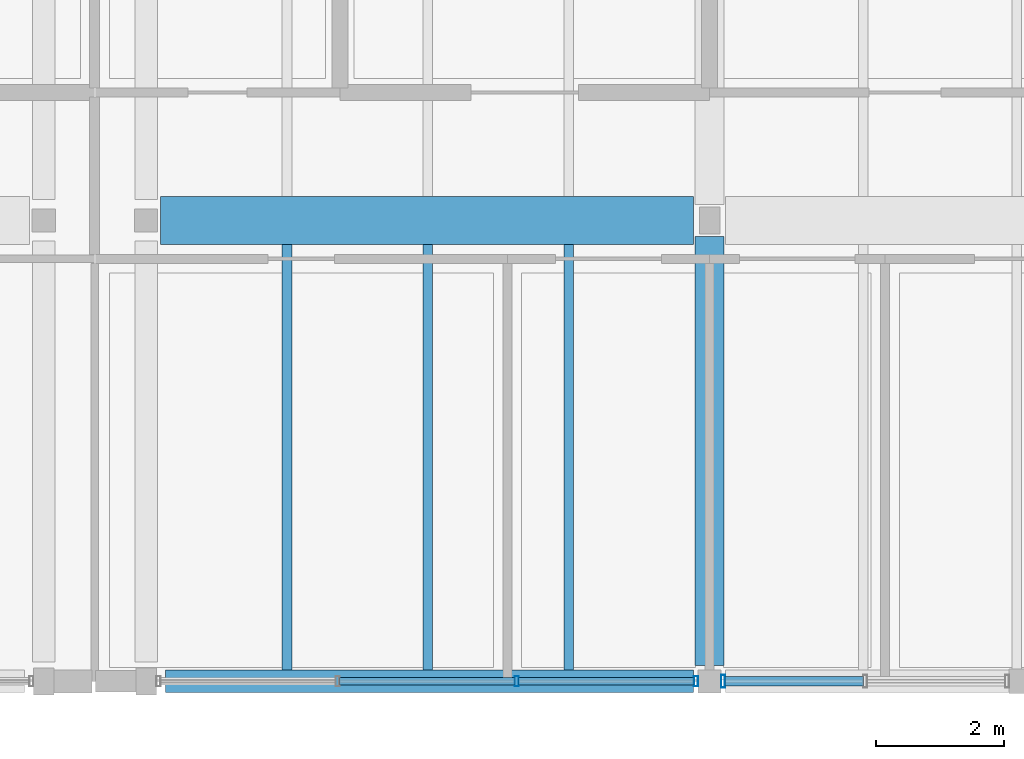
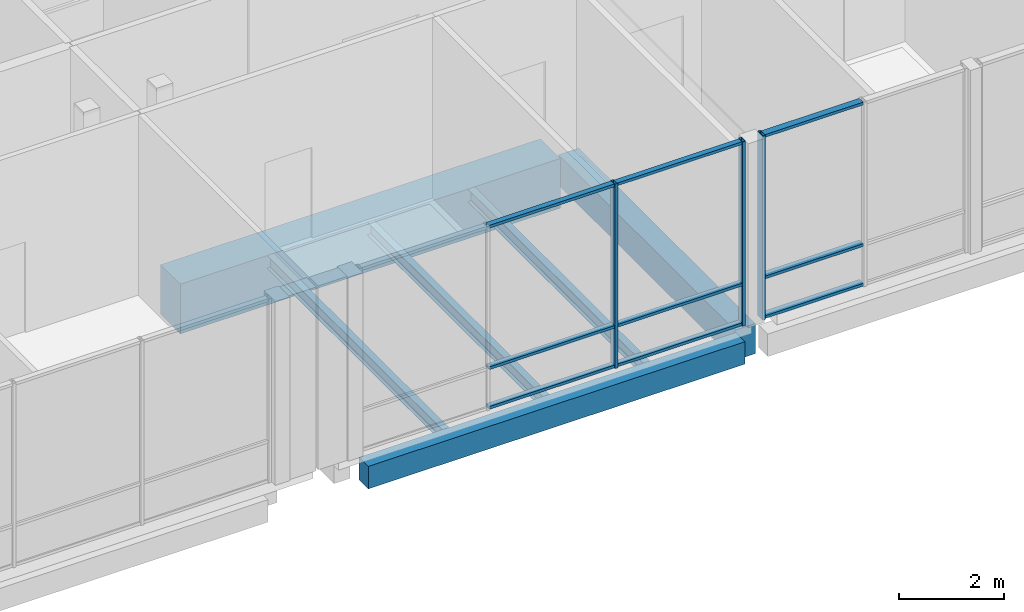
# One storey, part 57 of 146: 12 members, 6 beams, 2 elements without a shape of their own.
"""IFC4 building model written with IfcOpenShell, lengths in metres."""

from ifc_helpers import new_model, si_unit, direction, frame, origin, origin_2d, place, context, subcontext, project, spatial, rectangle, hollow_rectangle, i_section, extrude, material, material_profile, profile_set, type_object, element, aggregate, save


model = new_model("IFC4")

# Units and contexts
model_context = context("Model", 3, precision=1e-05, world=origin(), true_north=direction((0.0, 1.0)))
body_context = subcontext(model_context, "Body", "Model", "MODEL_VIEW")
ifc_project = project(units=[si_unit("LENGTHUNIT", "METRE"), si_unit("AREAUNIT", "SQUARE_METRE"), si_unit("VOLUMEUNIT", "CUBIC_METRE"), si_unit("PLANEANGLEUNIT", "RADIAN"), si_unit("MASSUNIT", "GRAM", prefix="KILO")], contexts=[model_context])

# Site, building, storey
site_placement = place(None, origin())
site = spatial("IfcSite", under=ifc_project, at=site_placement, CompositionType="ELEMENT")
building_placement = place(site_placement, origin())
building = spatial("IfcBuilding", under=site, at=building_placement, Name="Hawrajan Terrace Health Centre", CompositionType="ELEMENT")
storey_placement = place(building_placement, frame((0.0, 0.0, 4.5)))
storey = spatial("IfcBuildingStorey", under=building, at=storey_placement, Name="L01", CompositionType="ELEMENT", Elevation=4.5)

# Curtain wall, members
ifc_material_1 = material(Name="Anodized bronze aluminium and low-E solar glazing", Category="aluminium")
curtain_wall_type_1 = type_object("IfcCurtainWallType", Name="CW_Garden_SeriesF2", PredefinedType="USERDEFINED", material=ifc_material_1)
curtain_wall_1_placement = place(storey_placement, origin())
curtain_wall_1 = element("IfcCurtainWall", 1, at=curtain_wall_1_placement, inside=storey, type_object=curtain_wall_type_1, Name="Curtain wall CW-L01-087", ObjectType="UNITISED CURTAIN WALL", PredefinedType="USERDEFINED")
ifc_material_2 = material(Name="Anodized bronze aluminium 6063-T6", Category="aluminium")
ifc_material_profile_1 = material_profile(ifc_material_2, hollow_rectangle(XDim=0.06494140625, YDim=0.159912109375, WallThickness=0.00390625, at=origin_2d()), Name="CW MUL 65x160")
ifc_profile_set_1 = profile_set([ifc_material_profile_1], Name="Anodized bronze aluminium 6063-T6")
member_type_1 = type_object("IfcMemberType", Name="CWMullion_65x160", PredefinedType="MULLION", material=ifc_profile_set_1)
member_1_placement = place(storey_placement, frame((78.38916015625, 4.199951171875, -0.0048828125), z_axis=(0.0, 0.0, 1.0), x_axis=(1.0, 0.0, 0.0)))
member_1 = element("IfcMember", 2, at=member_1_placement, type_object=member_type_1, Name="Mullion CW-L01-087-M3", PredefinedType="MULLION", context=body_context, shape_type="SweptSolid", body=[
    extrude(hollow_rectangle(XDim=0.06494140625, YDim=0.159912109375, WallThickness=0.00390625, at=origin_2d()), origin(), (0.0, 0.0, 1.0), 4.269775390625),
])
member_2_placement = place(storey_placement, frame((81.1875, 4.199951171875, -0.0048828125), z_axis=(0.0, 0.0, 1.0), x_axis=(1.0, 0.0, 0.0)))
member_2 = element("IfcMember", 3, at=member_2_placement, type_object=member_type_1, Name="Mullion CW-L01-087-M4", PredefinedType="MULLION", context=body_context, shape_type="SweptSolid", body=[
    extrude(hollow_rectangle(XDim=0.06494140625, YDim=0.159912109375, WallThickness=0.00390625, at=origin_2d()), origin(), (0.0, 0.0, 1.0), 4.269775390625),
])

# Curtain wall, member
curtain_wall_type_2 = type_object("IfcCurtainWallType", Name="CW_Vestibule_SeriesH1", PredefinedType="USERDEFINED", material=ifc_material_1)
curtain_wall_2_placement = place(storey_placement, origin())
curtain_wall_2 = element("IfcCurtainWall", 4, at=curtain_wall_2_placement, inside=storey, type_object=curtain_wall_type_2, Name="Curtain wall CW-L01-091", ObjectType="UNITISED CURTAIN WALL", PredefinedType="USERDEFINED")
ifc_material_profile_2 = material_profile(ifc_material_2, hollow_rectangle(XDim=0.06494140625, YDim=0.199951171875, WallThickness=0.00439453125, at=origin_2d()), Name="CW MUL 65x200")
ifc_profile_set_2 = profile_set([ifc_material_profile_2], Name="Anodized bronze aluminium 6063-T6")
member_type_2 = type_object("IfcMemberType", Name="CWMullion_65x200", PredefinedType="MULLION", material=ifc_profile_set_2)
member_3_placement = place(storey_placement, frame((81.612548828125, 4.199951171875, -0.0048828125), z_axis=(0.0, 0.0, 1.0), x_axis=(1.0, 0.0, 0.0)))
member_3 = element("IfcMember", 5, at=member_3_placement, type_object=member_type_2, Name="Mullion CW-L01-091-M1", PredefinedType="MULLION", context=body_context, shape_type="SweptSolid", body=[
    extrude(hollow_rectangle(XDim=0.06494140625, YDim=0.199951171875, WallThickness=0.00439453125, at=origin_2d()), origin(), (0.0, 0.0, 1.0), 4.269775390625),
])

# Member
ifc_material_profile_3 = material_profile(ifc_material_2, hollow_rectangle(XDim=0.06494140625, YDim=0.1201171875, WallThickness=0.00341796875, at=origin_2d()), Name="CW TRN 65x120")
ifc_profile_set_3 = profile_set([ifc_material_profile_3], Name="Anodized bronze aluminium 6063-T6")
member_type_3 = type_object("IfcMemberType", Name="CWTransom_65x120", PredefinedType="USERDEFINED", material=ifc_profile_set_3)
member_4_placement = place(storey_placement, frame((75.6171875, 4.199951171875, 0.032470703125), z_axis=(1.0, 0.0, 0.0), x_axis=(0.0, 0.0, 1.0)))
member_4 = element("IfcMember", 6, at=member_4_placement, type_object=member_type_3, Name="Transom CW-L01-087-T2-1", ObjectType="TRANSOM", PredefinedType="USERDEFINED", context=body_context, shape_type="SweptSolid", body=[
    extrude(hollow_rectangle(XDim=0.06494140625, YDim=0.1201171875, WallThickness=0.00341796875, at=origin_2d()), origin(), (0.0, 0.0, 1.0), 2.74560546875),
])

member_5_placement = place(storey_placement, frame((75.6171875, 4.199951171875, 0.949951171875), z_axis=(1.0, 0.0, 0.0), x_axis=(0.0, 0.0, 1.0)))
member_5 = element("IfcMember", 7, at=member_5_placement, type_object=member_type_3, Name="Transom CW-L01-087-T2-2", ObjectType="TRANSOM", PredefinedType="USERDEFINED", context=body_context, shape_type="SweptSolid", body=[
    extrude(hollow_rectangle(XDim=0.06494140625, YDim=0.1201171875, WallThickness=0.00341796875, at=origin_2d()), origin(), (0.0, 0.0, 1.0), 2.74560546875),
])

member_6_placement = place(storey_placement, frame((75.6171875, 4.199951171875, 4.2275390625), z_axis=(1.0, 0.0, 0.0), x_axis=(0.0, 0.0, 1.0)))
member_6 = element("IfcMember", 8, at=member_6_placement, type_object=member_type_3, Name="Transom CW-L01-087-T2-3", ObjectType="TRANSOM", PredefinedType="USERDEFINED", context=body_context, shape_type="SweptSolid", body=[
    extrude(hollow_rectangle(XDim=0.06494140625, YDim=0.1201171875, WallThickness=0.00341796875, at=origin_2d()), origin(), (0.0, 0.0, 1.0), 2.74560546875),
])

member_7_placement = place(storey_placement, frame((78.415771484375, 4.199951171875, 0.032470703125), z_axis=(1.0, 0.0, 0.0), x_axis=(0.0, 0.0, 1.0)))
member_7 = element("IfcMember", 9, at=member_7_placement, type_object=member_type_3, Name="Transom CW-L01-087-T3-1", ObjectType="TRANSOM", PredefinedType="USERDEFINED", context=body_context, shape_type="SweptSolid", body=[
    extrude(hollow_rectangle(XDim=0.06494140625, YDim=0.1201171875, WallThickness=0.00341796875, at=origin_2d()), origin(), (0.0, 0.0, 1.0), 2.7451171875),
])

member_8_placement = place(storey_placement, frame((78.415771484375, 4.199951171875, 0.949951171875), z_axis=(1.0, 0.0, 0.0), x_axis=(0.0, 0.0, 1.0)))
member_8 = element("IfcMember", 10, at=member_8_placement, type_object=member_type_3, Name="Transom CW-L01-087-T3-2", ObjectType="TRANSOM", PredefinedType="USERDEFINED", context=body_context, shape_type="SweptSolid", body=[
    extrude(hollow_rectangle(XDim=0.06494140625, YDim=0.1201171875, WallThickness=0.00341796875, at=origin_2d()), origin(), (0.0, 0.0, 1.0), 2.7451171875),
])

member_9_placement = place(storey_placement, frame((78.415771484375, 4.199951171875, 4.2275390625), z_axis=(1.0, 0.0, 0.0), x_axis=(0.0, 0.0, 1.0)))
member_9 = element("IfcMember", 11, at=member_9_placement, type_object=member_type_3, Name="Transom CW-L01-087-T3-3", ObjectType="TRANSOM", PredefinedType="USERDEFINED", context=body_context, shape_type="SweptSolid", body=[
    extrude(hollow_rectangle(XDim=0.06494140625, YDim=0.1201171875, WallThickness=0.00341796875, at=origin_2d()), origin(), (0.0, 0.0, 1.0), 2.7451171875),
])

aggregate(curtain_wall_1, [member_1, member_2, member_4, member_5, member_6, member_7, member_8, member_9])

ifc_material_profile_4 = material_profile(ifc_material_2, hollow_rectangle(XDim=0.06494140625, YDim=0.14990234375, WallThickness=0.00390625, at=origin_2d()), Name="CW TRN 65x150")
ifc_profile_set_4 = profile_set([ifc_material_profile_4], Name="Anodized bronze aluminium 6063-T6")
member_type_4 = type_object("IfcMemberType", Name="CWTransom_65x150", PredefinedType="USERDEFINED", material=ifc_profile_set_4)
member_10_placement = place(storey_placement, frame((81.638916015625, 4.199951171875, 0.032470703125), z_axis=(1.0, 0.0, 0.0), x_axis=(0.0, 0.0, 1.0)))
member_10 = element("IfcMember", 12, at=member_10_placement, type_object=member_type_4, Name="Transom CW-L01-091-T1-1", ObjectType="TRANSOM", PredefinedType="USERDEFINED", context=body_context, shape_type="SweptSolid", body=[
    extrude(hollow_rectangle(XDim=0.06494140625, YDim=0.14990234375, WallThickness=0.00390625, at=origin_2d()), origin(), (0.0, 0.0, 1.0), 2.16455078125),
])

member_11_placement = place(storey_placement, frame((81.638916015625, 4.199951171875, 0.949951171875), z_axis=(1.0, 0.0, 0.0), x_axis=(0.0, 0.0, 1.0)))
member_11 = element("IfcMember", 13, at=member_11_placement, type_object=member_type_4, Name="Transom CW-L01-091-T1-2", ObjectType="TRANSOM", PredefinedType="USERDEFINED", context=body_context, shape_type="SweptSolid", body=[
    extrude(hollow_rectangle(XDim=0.06494140625, YDim=0.14990234375, WallThickness=0.00390625, at=origin_2d()), origin(), (0.0, 0.0, 1.0), 2.16455078125),
])

member_12_placement = place(storey_placement, frame((81.638916015625, 4.199951171875, 4.2275390625), z_axis=(1.0, 0.0, 0.0), x_axis=(0.0, 0.0, 1.0)))
member_12 = element("IfcMember", 14, at=member_12_placement, type_object=member_type_4, Name="Transom CW-L01-091-T1-3", ObjectType="TRANSOM", PredefinedType="USERDEFINED", context=body_context, shape_type="SweptSolid", body=[
    extrude(hollow_rectangle(XDim=0.06494140625, YDim=0.14990234375, WallThickness=0.00390625, at=origin_2d()), origin(), (0.0, 0.0, 1.0), 2.16455078125),
])

aggregate(curtain_wall_2, [member_3, member_10, member_11, member_12])

# Beams
ifc_material_3 = material(Name="Concrete C40/50", Category="concrete")
ifc_material_profile_5 = material_profile(ifc_material_3, rectangle(XDim=0.449951171875, YDim=0.699951171875, at=origin_2d()), Name="RC BM 450x700")
ifc_profile_set_5 = profile_set([ifc_material_profile_5], Name="Concrete C40/50")
beam_type_1 = type_object("IfcBeamType", Name="RCGirder_450x700", PredefinedType="BEAM", material=ifc_profile_set_5)
beam_1_placement = place(storey_placement, frame((81.39990234375, 4.449951171875, -0.64990234375), z_axis=(0.0, 1.0, 0.0), x_axis=(-1.0, 0.0, 0.0)))
element("IfcBeam", 15, at=beam_1_placement, inside=storey, type_object=beam_type_1, Name="Beam BM-Y-L01-C-X11-1", PredefinedType="BEAM", context=body_context, shape_type="SweptSolid", body=[
    extrude(rectangle(XDim=0.449951171875, YDim=0.699951171875, at=origin_2d()), origin(), (0.0, 0.0, 1.0), 6.699951171875),
])
ifc_material_profile_6 = material_profile(ifc_material_3, rectangle(XDim=0.35009765625, YDim=0.52001953125, at=origin_2d()), Name="RC SP 350x520")
ifc_profile_set_6 = profile_set([ifc_material_profile_6], Name="Concrete C40/50")
beam_type_2 = type_object("IfcBeamType", Name="RCSpandrel_350x520", PredefinedType="SPANDREL", material=ifc_profile_set_6)
beam_2_placement = place(storey_placement, frame((72.89990234375, 4.199951171875, -0.56005859375), z_axis=(1.0, 0.0, 0.0), x_axis=(0.0, 1.0, 0.0)))
element("IfcBeam", 16, at=beam_2_placement, inside=storey, type_object=beam_type_2, Name="Beam BM-X-L01-C-10-Y1", PredefinedType="SPANDREL", context=body_context, shape_type="SweptSolid", body=[
    extrude(rectangle(XDim=0.35009765625, YDim=0.52001953125, at=origin_2d()), origin(), (0.0, 0.0, 1.0), 8.25),
])
ifc_material_profile_7 = material_profile(ifc_material_3, rectangle(XDim=0.75, YDim=1.14990234375, at=origin_2d()), Name="RC TG 750x1150")
ifc_profile_set_7 = profile_set([ifc_material_profile_7], Name="Concrete C40/50")
beam_type_3 = type_object("IfcBeamType", Name="RCTransferGirder_750x1150", PredefinedType="BEAM", material=ifc_profile_set_7)
beam_3_placement = place(storey_placement, frame((72.824951171875, 11.39990234375, -0.875), z_axis=(1.0, 0.0, 0.0), x_axis=(0.0, 1.0, 0.0)))
element("IfcBeam", 17, at=beam_3_placement, inside=storey, type_object=beam_type_3, Name="Beam BM-X-L01-C-10-Y2", PredefinedType="BEAM", context=body_context, shape_type="SweptSolid", body=[
    extrude(rectangle(XDim=0.75, YDim=1.14990234375, at=origin_2d()), origin(), (0.0, 0.0, 1.0), 8.324951171875),
])
ifc_material_4 = material(Name="Steel S355", Category="steel")
ifc_material_profile_8 = material_profile(ifc_material_4, i_section(OverallWidth=0.14990234375, OverallDepth=0.300048828125, WebThickness=0.007080078125, FlangeThickness=0.0107421875, FilletRadius=0.014892578125, at=origin_2d()), Name="IPE 300")
ifc_profile_set_8 = profile_set([ifc_material_profile_8], Name="Steel S355")
beam_type_4 = type_object("IfcBeamType", Name="SteelBeam_IPE300", PredefinedType="JOIST", material=ifc_profile_set_8)
for number, where, z_axis, x_axis, name in (
    (18, (74.800048828125, 4.375, -0.449951171875), (0.0, 1.0, 0.0), (-1.0, 0.0, 0.0), "Secondary joist JST-L01-C-10-1-1"),
    (19, (77.0, 4.375, -0.449951171875), (0.0, 1.0, 0.0), (-1.0, 0.0, 0.0), "Secondary joist JST-L01-C-10-1-2"),
    (20, (79.199951171875, 4.375, -0.449951171875), (0.0, 1.0, 0.0), (-1.0, 0.0, 0.0), "Secondary joist JST-L01-C-10-1-3"),
):
    element("IfcBeam", number, at=place(storey_placement, frame(where, z_axis=z_axis, x_axis=x_axis)), inside=storey, type_object=beam_type_4, Name=name, PredefinedType="JOIST", context=body_context, shape_type="SweptSolid", body=[
        extrude(i_section(OverallWidth=0.14990234375, OverallDepth=0.300048828125, WebThickness=0.007080078125, FlangeThickness=0.0107421875, FilletRadius=0.014892578125, at=origin_2d()), origin(), (0.0, 0.0, 1.0), 6.64990234375),
    ])

save(model, "model.ifc")
